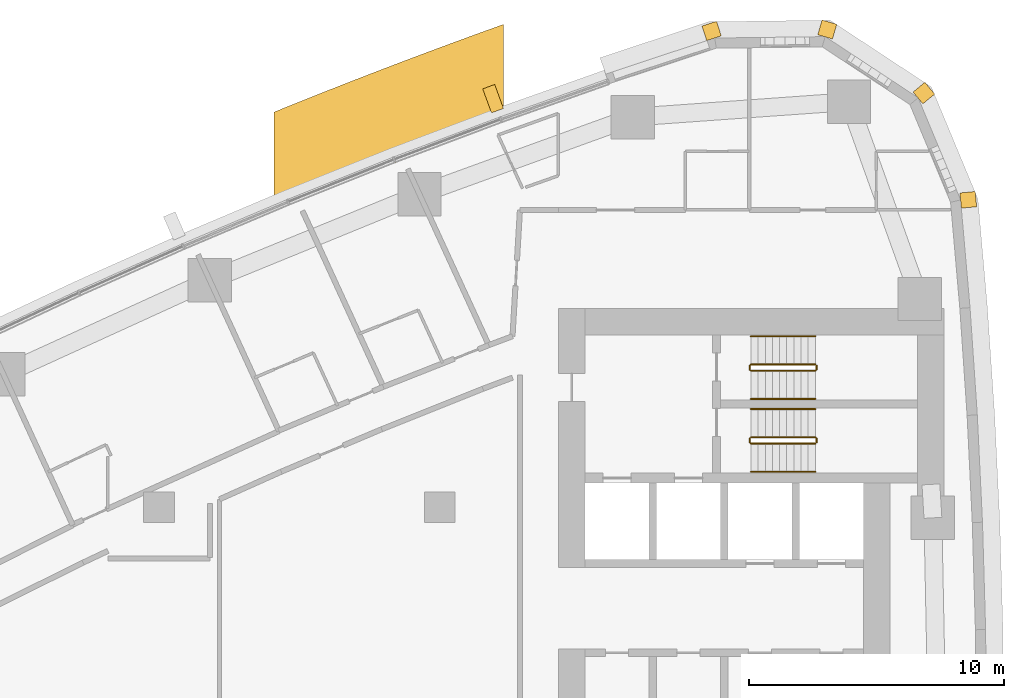
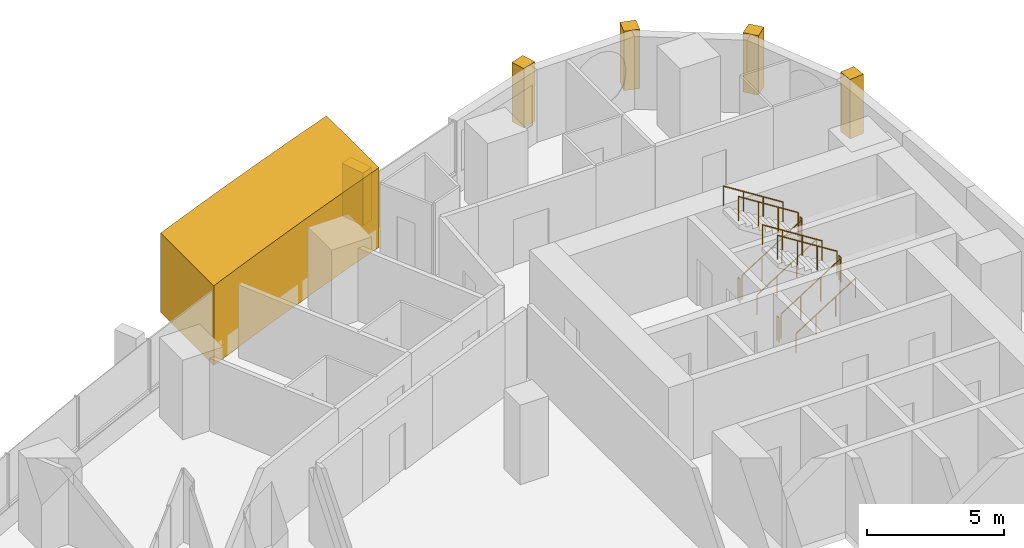
# One storey, part 17 of 17: 12 railings, 6 coverings.
"""IFC4 building model written with IfcOpenShell, lengths in metres."""

from ifc_helpers import new_model, si_unit, direction, frame, frame_2d, origin, origin_2d, place, context, subcontext, project, spatial, polyline, rectangle, circle, outline, extrude, material, layer, layer_set, type_object, element, save


model = new_model("IFC4")

# Units and contexts
model_context = context("Model", 3, precision=1e-05, world=origin(), true_north=direction((0.0, 1.0)))
body_context = subcontext(model_context, "Body", "Model", "MODEL_VIEW")
ifc_project = project(units=[si_unit("LENGTHUNIT", "METRE"), si_unit("AREAUNIT", "SQUARE_METRE"), si_unit("VOLUMEUNIT", "CUBIC_METRE"), si_unit("PLANEANGLEUNIT", "RADIAN"), si_unit("MASSUNIT", "GRAM", prefix="KILO")], contexts=[model_context])

# Site, building, storey
site_placement = place(None, origin())
site = spatial("IfcSite", under=ifc_project, at=site_placement, CompositionType="ELEMENT")
building_placement = place(site_placement, origin())
building = spatial("IfcBuilding", under=site, at=building_placement, Name="Ostrand Prow Hotel Tower", CompositionType="ELEMENT")
storey_placement = place(building_placement, frame((0.0, 0.0, 95.550048828125)))
storey = spatial("IfcBuildingStorey", under=building, at=storey_placement, Name="L22", CompositionType="ELEMENT", Elevation=95.550048828125)

# Coverings
ifc_material_1 = material(Name="Limestone cladding", Category="masonry")
ifc_layer_1 = layer(ifc_material_1, 5.0)
ifc_layer_set_1 = layer_set([ifc_layer_1], Name="Limestone cladding")
covering_type_1 = type_object("IfcCoveringType", Name="Portal jamb pilaster limestone", PredefinedType="CLADDING", material=ifc_layer_set_1)
covering_1_placement = place(storey_placement, origin())
element("IfcCovering", 1, at=covering_1_placement, inside=storey, type_object=covering_type_1, Name="Portal jamb NB L22", PredefinedType="CLADDING", context=body_context, shape_type="SweptSolid", body=[
    extrude(outline(polyline([(38.5, 20.59423828125), (39.5, 21.006103515625), (40.5, 21.412353515625), (41.5, 21.812744140625), (42.5, 22.207763671875), (43.5, 22.59716796875), (44.5, 22.98095703125), (45.5, 23.359130859375), (46.5, 23.732177734375), (47.5, 24.099609375), (47.5, 27.927490234375), (46.5, 27.566650390625), (45.5, 27.200439453125), (44.5, 26.8291015625), (43.5, 26.4521484375), (42.5, 26.06982421875), (41.5, 25.68212890625), (40.5, 25.2890625), (39.5, 24.890380859375), (38.5, 24.486083984375), (38.5, 20.59423828125)])), origin(), (0.0, 0.0, 1.0), 3.550048828125),
])
ifc_material_2 = material(Name="Limestone cladding", Category="masonry")
ifc_layer_2 = layer(ifc_material_2, 0.5)
ifc_layer_set_2 = layer_set([ifc_layer_2], Name="Limestone cladding")
covering_type_2 = type_object("IfcCoveringType", Name="Precast stone fin 500x900", PredefinedType="CLADDING", material=ifc_layer_set_2)
covering_2_placement = place(storey_placement, frame((47.265380859375, 24.546142578125, 0.89990234375), z_axis=(0.0, 0.0, 1.0), x_axis=(-0.342762160206, 0.93942221686, 0.0)))
element("IfcCovering", 2, at=covering_2_placement, inside=storey, type_object=covering_type_2, Name="Stone fin N 2", PredefinedType="CLADDING", context=body_context, shape_type="SweptSolid", body=[
    extrude(rectangle(XDim=1.0, YDim=0.5, at=frame_2d((0.5, 0.0))), origin(), (0.0, 0.0, 1.0), 2.35009765625),
])
ifc_material_3 = material(Name="Limestone cladding", Category="masonry")
ifc_layer_3 = layer(ifc_material_3, 0.60009765625)
ifc_layer_set_3 = layer_set([ifc_layer_3], Name="Limestone cladding")
covering_type_3 = type_object("IfcCoveringType", Name="Precast stone prow rib 600x600", PredefinedType="CLADDING", material=ifc_layer_set_3)
for number, where, z_axis, x_axis, name in (
    (3, (65.41650390625, 21.02099609375, 0.599853515625), (0.0, 0.0, 1.0), (0.99529571972, 0.096883591531, 0.0), "Stone corner rib 15a"),
    (4, (63.74365234375, 25.043212890625, 0.599853515625), (0.0, 0.0, 1.0), (0.770318500913, 0.637659319034, 0.0), "Stone corner rib 16a"),
):
    element("IfcCovering", number, at=place(storey_placement, frame(where, z_axis=z_axis, x_axis=x_axis)), inside=storey, type_object=covering_type_3, Name=name, PredefinedType="CLADDING", context=body_context, shape_type="SweptSolid", body=[
        extrude(rectangle(XDim=0.599853515625, YDim=0.60009765625, at=frame_2d((0.2998046875, 0.0))), origin(), (0.0, 0.0, 1.0), 2.650146484375),
    ])
covering_3_placement = place(storey_placement, frame((60.104736328125, 27.437744140625, 0.599853515625), z_axis=(0.0, 0.0, 1.0), x_axis=(0.280734221166, 0.959785547436, 0.0)))
element("IfcCovering", 5, at=covering_3_placement, inside=storey, type_object=covering_type_3, Name="Stone corner rib 17a", PredefinedType="CLADDING", context=body_context, shape_type="SweptSolid", body=[
    extrude(rectangle(XDim=0.60009765625, YDim=0.60009765625, at=frame_2d((0.300048828125, 0.0))), origin(), (0.0, 0.0, 1.0), 2.650146484375),
])
covering_4_placement = place(storey_placement, frame((55.7490234375, 27.3828125, 0.599853515625), z_axis=(0.0, 0.0, 1.0), x_axis=(-0.305218682065, 0.952282288042, 0.0)))
element("IfcCovering", 6, at=covering_4_placement, inside=storey, type_object=covering_type_3, Name="Stone corner rib 17b", PredefinedType="CLADDING", context=body_context, shape_type="SweptSolid", body=[
    extrude(rectangle(XDim=0.599853515625, YDim=0.60009765625, at=frame_2d((0.2998046875, 0.0))), origin(), (0.0, 0.0, 1.0), 2.650146484375),
])

# Railings
ifc_material_4 = material(Name="Painted steel", Category="steel")
railing_type_1 = type_object("IfcRailingType", Name="Stair guard 1100", PredefinedType="GUARDRAIL", material=ifc_material_4)
railing_1_placement = place(storey_placement, frame((57.199951171875, 11.5, 0.177490234375)))
element("IfcRailing", 7, at=railing_1_placement, inside=storey, type_object=railing_type_1, Name="L22 ST1C stair guard 1", PredefinedType="GUARDRAIL", context=body_context, shape_type="SweptSolid", body=[
    extrude(circle(Radius=0.02392578125, at=origin_2d()), frame((0.0, 0.0, 1.076171875), z_axis=(0.84460694969, 0.0, 0.535386869969), x_axis=(0.0, 1.0, 0.0)), (0.0, 0.0, 1.0), 2.983642578125),
    extrude(circle(Radius=0.02099609375, at=origin_2d()), origin(), (0.0, 0.0, 1.0), 1.052001953125),
    extrude(circle(Radius=0.02099609375, at=origin_2d()), frame((0.840087890625, 0.0, 0.532470703125)), (0.0, 0.0, 1.0), 1.052001953125),
    extrude(circle(Radius=0.02099609375, at=origin_2d()), frame((1.679931640625, 0.0, 1.06494140625)), (0.0, 0.0, 1.0), 1.052001953125),
    extrude(circle(Radius=0.02099609375, at=origin_2d()), frame((2.52001953125, 0.0, 1.597412109375)), (0.0, 0.0, 1.0), 1.052001953125),
])
railing_2_placement = place(storey_placement, frame((59.77001953125, 11.550048828125, 1.77490234375)))
element("IfcRailing", 8, at=railing_2_placement, inside=storey, type_object=railing_type_1, Name="L22 ST1C stair guard 2", PredefinedType="GUARDRAIL", context=body_context, shape_type="SweptSolid", body=[
    extrude(circle(Radius=0.02392578125, at=origin_2d()), frame((0.0, 0.0, 1.076171875), z_axis=(0.0, 1.0, 0.0), x_axis=(-1.0, 0.0, 0.0)), (0.0, 0.0, 1.0), 0.14990234375),
    extrude(circle(Radius=0.02099609375, at=origin_2d()), origin(), (0.0, 0.0, 1.0), 1.052001953125),
    extrude(circle(Radius=0.02099609375, at=origin_2d()), frame((0.0, 0.14990234375, 0.0)), (0.0, 0.0, 1.0), 1.052001953125),
])
railing_3_placement = place(storey_placement, frame((59.719970703125, 11.75, 1.952392578125)))
element("IfcRailing", 9, at=railing_3_placement, inside=storey, type_object=railing_type_1, Name="L22 ST1C stair guard 3", PredefinedType="GUARDRAIL", context=body_context, shape_type="SweptSolid", body=[
    extrude(circle(Radius=0.02392578125, at=origin_2d()), frame((0.0, 0.0, 1.076171875), z_axis=(-0.84456994832, 0.0, 0.535445237532), x_axis=(0.0, -1.0, 0.0)), (0.0, 0.0, 1.0), 2.98388671875),
    extrude(circle(Radius=0.02099609375, at=origin_2d()), origin(), (0.0, 0.0, 1.0), 1.052001953125),
    extrude(circle(Radius=0.02099609375, at=origin_2d()), frame((-0.840087890625, 0.0, 0.532470703125)), (0.0, 0.0, 1.0), 1.052001953125),
    extrude(circle(Radius=0.02099609375, at=origin_2d()), frame((-1.679931640625, 0.0, 1.065185546875)), (0.0, 0.0, 1.0), 1.052001953125),
    extrude(circle(Radius=0.02099609375, at=origin_2d()), frame((-2.52001953125, 0.0, 1.59765625)), (0.0, 0.0, 1.0), 1.052001953125),
])
railing_4_placement = place(storey_placement, frame((57.14990234375, 11.550048828125, 0.0)))
element("IfcRailing", 10, at=railing_4_placement, inside=storey, type_object=railing_type_1, Name="L22 ST1C stair guard 4", PredefinedType="GUARDRAIL", context=body_context, shape_type="SweptSolid", body=[
    extrude(circle(Radius=0.02392578125, at=origin_2d()), frame((0.0, 0.0, 1.076171875), z_axis=(0.0, 1.0, 0.0), x_axis=(-1.0, 0.0, 0.0)), (0.0, 0.0, 1.0), 0.14990234375),
    extrude(circle(Radius=0.02099609375, at=origin_2d()), origin(), (0.0, 0.0, 1.0), 1.052001953125),
    extrude(circle(Radius=0.02099609375, at=origin_2d()), frame((0.0, 0.14990234375, 0.0)), (0.0, 0.0, 1.0), 1.052001953125),
])
railing_5_placement = place(storey_placement, frame((57.199951171875, 14.35009765625, 0.177490234375)))
element("IfcRailing", 11, at=railing_5_placement, inside=storey, type_object=railing_type_1, Name="L22 ST3C stair guard 1", PredefinedType="GUARDRAIL", context=body_context, shape_type="SweptSolid", body=[
    extrude(circle(Radius=0.02392578125, at=origin_2d()), frame((0.0, 0.0, 1.076171875), z_axis=(0.84460694969, 0.0, 0.535386869969), x_axis=(0.0, 1.0, 0.0)), (0.0, 0.0, 1.0), 2.983642578125),
    extrude(circle(Radius=0.02099609375, at=origin_2d()), origin(), (0.0, 0.0, 1.0), 1.052001953125),
    extrude(circle(Radius=0.02099609375, at=origin_2d()), frame((0.840087890625, 0.0, 0.532470703125)), (0.0, 0.0, 1.0), 1.052001953125),
    extrude(circle(Radius=0.02099609375, at=origin_2d()), frame((1.679931640625, 0.0, 1.06494140625)), (0.0, 0.0, 1.0), 1.052001953125),
    extrude(circle(Radius=0.02099609375, at=origin_2d()), frame((2.52001953125, 0.0, 1.597412109375)), (0.0, 0.0, 1.0), 1.052001953125),
])
railing_6_placement = place(storey_placement, frame((59.77001953125, 14.39990234375, 1.77490234375)))
element("IfcRailing", 12, at=railing_6_placement, inside=storey, type_object=railing_type_1, Name="L22 ST3C stair guard 2", PredefinedType="GUARDRAIL", context=body_context, shape_type="SweptSolid", body=[
    extrude(circle(Radius=0.02392578125, at=origin_2d()), frame((0.0, 0.0, 1.076171875), z_axis=(0.0, 1.0, 0.0), x_axis=(-1.0, 0.0, 0.0)), (0.0, 0.0, 1.0), 0.150146484375),
    extrude(circle(Radius=0.02099609375, at=origin_2d()), origin(), (0.0, 0.0, 1.0), 1.052001953125),
    extrude(circle(Radius=0.02099609375, at=origin_2d()), frame((0.0, 0.150146484375, 0.0)), (0.0, 0.0, 1.0), 1.052001953125),
])
railing_7_placement = place(storey_placement, frame((59.719970703125, 14.60009765625, 1.952392578125)))
element("IfcRailing", 13, at=railing_7_placement, inside=storey, type_object=railing_type_1, Name="L22 ST3C stair guard 3", PredefinedType="GUARDRAIL", context=body_context, shape_type="SweptSolid", body=[
    extrude(circle(Radius=0.02392578125, at=origin_2d()), frame((0.0, 0.0, 1.076171875), z_axis=(-0.84456994832, 0.0, 0.535445237532), x_axis=(0.0, -1.0, 0.0)), (0.0, 0.0, 1.0), 2.98388671875),
    extrude(circle(Radius=0.02099609375, at=origin_2d()), origin(), (0.0, 0.0, 1.0), 1.052001953125),
    extrude(circle(Radius=0.02099609375, at=origin_2d()), frame((-0.840087890625, 0.0, 0.532470703125)), (0.0, 0.0, 1.0), 1.052001953125),
    extrude(circle(Radius=0.02099609375, at=origin_2d()), frame((-1.679931640625, 0.0, 1.065185546875)), (0.0, 0.0, 1.0), 1.052001953125),
    extrude(circle(Radius=0.02099609375, at=origin_2d()), frame((-2.52001953125, 0.0, 1.59765625)), (0.0, 0.0, 1.0), 1.052001953125),
])
railing_8_placement = place(storey_placement, frame((57.14990234375, 14.39990234375, 0.0)))
element("IfcRailing", 14, at=railing_8_placement, inside=storey, type_object=railing_type_1, Name="L22 ST3C stair guard 4", PredefinedType="GUARDRAIL", context=body_context, shape_type="SweptSolid", body=[
    extrude(circle(Radius=0.02392578125, at=origin_2d()), frame((0.0, 0.0, 1.076171875), z_axis=(0.0, 1.0, 0.0), x_axis=(-1.0, 0.0, 0.0)), (0.0, 0.0, 1.0), 0.150146484375),
    extrude(circle(Radius=0.02099609375, at=origin_2d()), origin(), (0.0, 0.0, 1.0), 1.052001953125),
    extrude(circle(Radius=0.02099609375, at=origin_2d()), frame((0.0, 0.150146484375, 0.0)), (0.0, 0.0, 1.0), 1.052001953125),
])
ifc_material_5 = material(Name="Stainless steel", Category="steel")
railing_type_2 = type_object("IfcRailingType", Name="Stair handrail 900", PredefinedType="HANDRAIL", material=ifc_material_5)
railing_9_placement = place(storey_placement, frame((57.199951171875, 10.39990234375, 0.177490234375)))
element("IfcRailing", 15, at=railing_9_placement, inside=storey, type_object=railing_type_2, Name="L22 ST1C stair handrail 1", PredefinedType="HANDRAIL", context=body_context, shape_type="SweptSolid", body=[
    extrude(circle(Radius=0.02392578125, at=origin_2d()), frame((0.0, 0.0, 0.8759765625), z_axis=(0.84460694969, 0.0, 0.535386869969), x_axis=(0.0, 1.0, 0.0)), (0.0, 0.0, 1.0), 2.983642578125),
    extrude(circle(Radius=0.02099609375, at=origin_2d()), origin(), (0.0, 0.0, 1.0), 0.851806640625),
    extrude(circle(Radius=0.02099609375, at=origin_2d()), frame((0.840087890625, 0.0, 0.532470703125)), (0.0, 0.0, 1.0), 0.851806640625),
    extrude(circle(Radius=0.02099609375, at=origin_2d()), frame((1.679931640625, 0.0, 1.06494140625)), (0.0, 0.0, 1.0), 0.851806640625),
    extrude(circle(Radius=0.02099609375, at=origin_2d()), frame((2.52001953125, 0.0, 1.597412109375)), (0.0, 0.0, 1.0), 0.851806640625),
])
railing_10_placement = place(storey_placement, frame((59.719970703125, 12.85009765625, 1.952392578125)))
element("IfcRailing", 16, at=railing_10_placement, inside=storey, type_object=railing_type_2, Name="L22 ST1C stair handrail 2", PredefinedType="HANDRAIL", context=body_context, shape_type="SweptSolid", body=[
    extrude(circle(Radius=0.02392578125, at=origin_2d()), frame((0.0, 0.0, 0.8759765625), z_axis=(-0.84456994832, 0.0, 0.535445237532), x_axis=(0.0, -1.0, 0.0)), (0.0, 0.0, 1.0), 2.98388671875),
    extrude(circle(Radius=0.02099609375, at=origin_2d()), origin(), (0.0, 0.0, 1.0), 0.851806640625),
    extrude(circle(Radius=0.02099609375, at=origin_2d()), frame((-0.840087890625, 0.0, 0.532470703125)), (0.0, 0.0, 1.0), 0.851806640625),
    extrude(circle(Radius=0.02099609375, at=origin_2d()), frame((-1.679931640625, 0.0, 1.065185546875)), (0.0, 0.0, 1.0), 0.851806640625),
    extrude(circle(Radius=0.02099609375, at=origin_2d()), frame((-2.52001953125, 0.0, 1.59765625)), (0.0, 0.0, 1.0), 0.851806640625),
])
railing_11_placement = place(storey_placement, frame((57.199951171875, 13.25, 0.177490234375)))
element("IfcRailing", 17, at=railing_11_placement, inside=storey, type_object=railing_type_2, Name="L22 ST3C stair handrail 1", PredefinedType="HANDRAIL", context=body_context, shape_type="SweptSolid", body=[
    extrude(circle(Radius=0.02392578125, at=origin_2d()), frame((0.0, 0.0, 0.8759765625), z_axis=(0.84460694969, 0.0, 0.535386869969), x_axis=(0.0, 1.0, 0.0)), (0.0, 0.0, 1.0), 2.983642578125),
    extrude(circle(Radius=0.02099609375, at=origin_2d()), origin(), (0.0, 0.0, 1.0), 0.851806640625),
    extrude(circle(Radius=0.02099609375, at=origin_2d()), frame((0.840087890625, 0.0, 0.532470703125)), (0.0, 0.0, 1.0), 0.851806640625),
    extrude(circle(Radius=0.02099609375, at=origin_2d()), frame((1.679931640625, 0.0, 1.06494140625)), (0.0, 0.0, 1.0), 0.851806640625),
    extrude(circle(Radius=0.02099609375, at=origin_2d()), frame((2.52001953125, 0.0, 1.597412109375)), (0.0, 0.0, 1.0), 0.851806640625),
])
railing_12_placement = place(storey_placement, frame((59.719970703125, 15.699951171875, 1.952392578125)))
element("IfcRailing", 18, at=railing_12_placement, inside=storey, type_object=railing_type_2, Name="L22 ST3C stair handrail 2", PredefinedType="HANDRAIL", context=body_context, shape_type="SweptSolid", body=[
    extrude(circle(Radius=0.02392578125, at=origin_2d()), frame((0.0, 0.0, 0.8759765625), z_axis=(-0.84456994832, 0.0, 0.535445237532), x_axis=(0.0, -1.0, 0.0)), (0.0, 0.0, 1.0), 2.98388671875),
    extrude(circle(Radius=0.02099609375, at=origin_2d()), origin(), (0.0, 0.0, 1.0), 0.851806640625),
    extrude(circle(Radius=0.02099609375, at=origin_2d()), frame((-0.840087890625, 0.0, 0.532470703125)), (0.0, 0.0, 1.0), 0.851806640625),
    extrude(circle(Radius=0.02099609375, at=origin_2d()), frame((-1.679931640625, 0.0, 1.065185546875)), (0.0, 0.0, 1.0), 0.851806640625),
    extrude(circle(Radius=0.02099609375, at=origin_2d()), frame((-2.52001953125, 0.0, 1.59765625)), (0.0, 0.0, 1.0), 0.851806640625),
])

save(model, "model.ifc")
